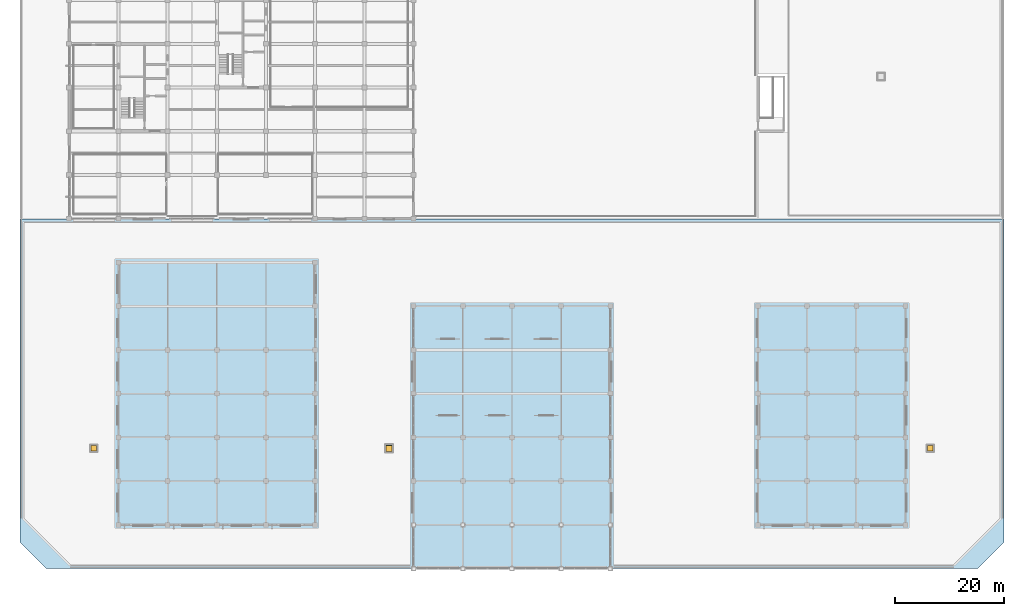
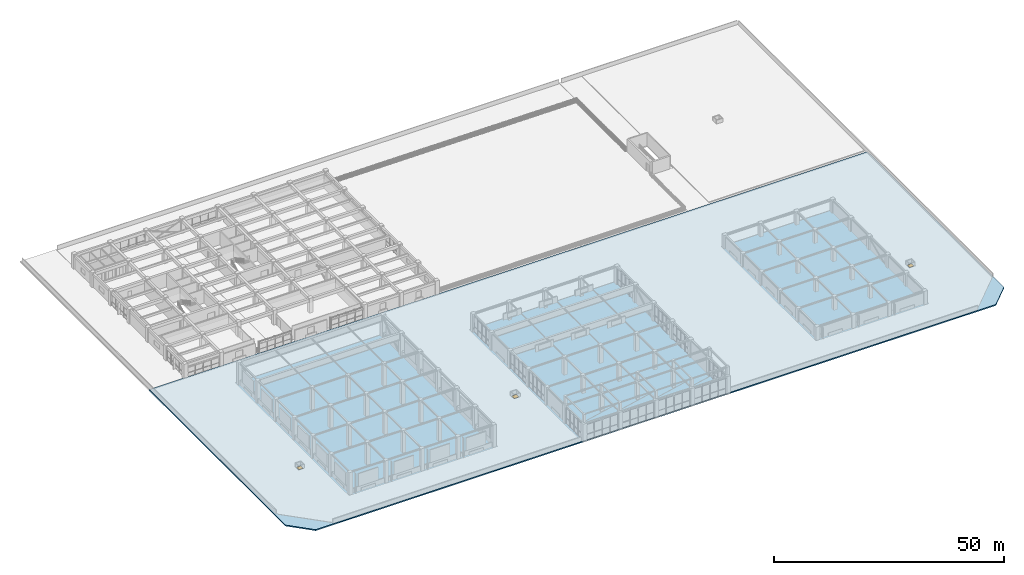
# One storey, part 15 of 34: 3 doors, 1 slab, 3 openings.
"""IFC4 building model written with IfcOpenShell, lengths in metres."""

from ifc_helpers import new_model, si_unit, direction, frame, origin, origin_2d, place, context, subcontext, project, spatial, polyline, rectangle, outline, extrude, material, layer, layer_set, type_object, element, fill, save


model = new_model("IFC4")

# Units and contexts
model_context = context("Model", 3, precision=1e-05, world=origin(), true_north=direction((0.0, 1.0)))
body_context = subcontext(model_context, "Body", "Model", "MODEL_VIEW")
ifc_project = project(units=[si_unit("LENGTHUNIT", "METRE"), si_unit("AREAUNIT", "SQUARE_METRE"), si_unit("VOLUMEUNIT", "CUBIC_METRE"), si_unit("PLANEANGLEUNIT", "RADIAN"), si_unit("MASSUNIT", "GRAM", prefix="KILO")], contexts=[model_context])

# Site, building, storey
site_placement = place(None, origin())
site = spatial("IfcSite", under=ifc_project, at=site_placement, CompositionType="ELEMENT")
building_placement = place(site_placement, origin())
building = spatial("IfcBuilding", under=site, at=building_placement, Name="Zaverband Oceanarium and Marine Research Institute", CompositionType="ELEMENT")
storey_placement = place(building_placement, frame((0.0, 0.0, 18.0)))
storey = spatial("IfcBuildingStorey", under=building, at=storey_placement, Name="L04", CompositionType="ELEMENT", Elevation=18.0)

# Slab, openings, doors
ifc_material_1 = material(Name="Concrete C40/50", Category="concrete")
ifc_layer = layer(ifc_material_1, 0.300048828125, Name="Concrete C40/50")
ifc_layer_set = layer_set([ifc_layer], Name="Concrete C40/50")
slab_type = type_object("IfcSlabType", Name="SLB-ROOF-300", PredefinedType="ROOF", material=ifc_layer_set)
slab_placement = place(storey_placement, frame((0.0, 0.0, -0.300048828125)))
slab = element("IfcSlab", 1, at=slab_placement, inside=storey, type_object=slab_type, Name="Roof deck slab SLB-ROOF-300", PredefinedType="ROOF", context=body_context, shape_type="SweptSolid", body=[
    extrude(outline(polyline([(0.0, 4.800048828125), (0.0, 63.985107421875), (180.0, 63.985107421875), (180.0, 4.800048828125), (175.199951171875, 0.0), (4.800048828125, 0.0), (0.0, 4.800048828125)])), origin(), (0.0, 0.0, 1.0), 0.300048828125),
])
opening_1_placement = place(slab_placement, frame((13.5, 22.0, -0.011962890625)))
opening_1 = element("IfcOpeningElement", 2, at=opening_1_placement, cuts=slab, Name="Opening RH-01", PredefinedType="OPENING", context=body_context, shape_type="SweptSolid", body=[
    extrude(rectangle(XDim=1.0, YDim=1.0, at=origin_2d()), origin(), (0.0, 0.0, 1.0), 0.323974609375),
])
opening_2_placement = place(slab_placement, frame((166.5, 22.0, -0.011962890625)))
opening_2 = element("IfcOpeningElement", 3, at=opening_2_placement, cuts=slab, Name="Opening RH-01", PredefinedType="OPENING", context=body_context, shape_type="SweptSolid", body=[
    extrude(rectangle(XDim=1.0, YDim=1.0, at=origin_2d()), origin(), (0.0, 0.0, 1.0), 0.323974609375),
])
opening_3_placement = place(slab_placement, frame((67.5, 22.0, -0.011962890625)))
opening_3 = element("IfcOpeningElement", 4, at=opening_3_placement, cuts=slab, Name="Opening RH-02", PredefinedType="OPENING", context=body_context, shape_type="SweptSolid", body=[
    extrude(rectangle(XDim=1.10009765625, YDim=1.10009765625, at=origin_2d()), origin(), (0.0, 0.0, 1.0), 0.323974609375),
])
ifc_material_2 = material(Name="Steel S355", Category="steel")
door_type_1 = type_object("IfcDoorType", Name="RH-01", OperationType="SWING_FIXED_LEFT", PredefinedType="TRAPDOOR", material=ifc_material_2)
door_1_placement = place(slab_placement, frame((13.5, 22.0, 0.25)))
door_1 = element("IfcDoor", 5, at=door_1_placement, inside=storey, type_object=door_type_1, Name="Insulated roof maintenance access hatch RH-01", OperationType="SWING_FIXED_LEFT", OverallHeight=1.0, OverallWidth=1.0, PredefinedType="TRAPDOOR", context=body_context, shape_type="SweptSolid", body=[
    extrude(rectangle(XDim=1.0, YDim=1.0, at=origin_2d()), origin(), (0.0, 0.0, 1.0), 0.050048828125),
])
fill(opening_1, door_1)
door_2_placement = place(slab_placement, frame((166.5, 22.0, 0.25)))
door_2 = element("IfcDoor", 6, at=door_2_placement, inside=storey, type_object=door_type_1, Name="Insulated roof maintenance access hatch RH-01", OperationType="SWING_FIXED_LEFT", OverallHeight=1.0, OverallWidth=1.0, PredefinedType="TRAPDOOR", context=body_context, shape_type="SweptSolid", body=[
    extrude(rectangle(XDim=1.0, YDim=1.0, at=origin_2d()), origin(), (0.0, 0.0, 1.0), 0.050048828125),
])
fill(opening_2, door_2)
door_type_2 = type_object("IfcDoorType", Name="RH-02", OperationType="SWING_FIXED_LEFT", PredefinedType="TRAPDOOR", material=ifc_material_2)
door_3_placement = place(slab_placement, frame((67.5, 22.0, 0.25)))
door_3 = element("IfcDoor", 7, at=door_3_placement, inside=storey, type_object=door_type_2, Name="Tank / plant roof access hatch RH-02", OperationType="SWING_FIXED_LEFT", OverallHeight=1.10009765625, OverallWidth=1.10009765625, PredefinedType="TRAPDOOR", context=body_context, shape_type="SweptSolid", body=[
    extrude(rectangle(XDim=1.10009765625, YDim=1.10009765625, at=origin_2d()), origin(), (0.0, 0.0, 1.0), 0.050048828125),
])
fill(opening_3, door_3)

save(model, "model.ifc")
